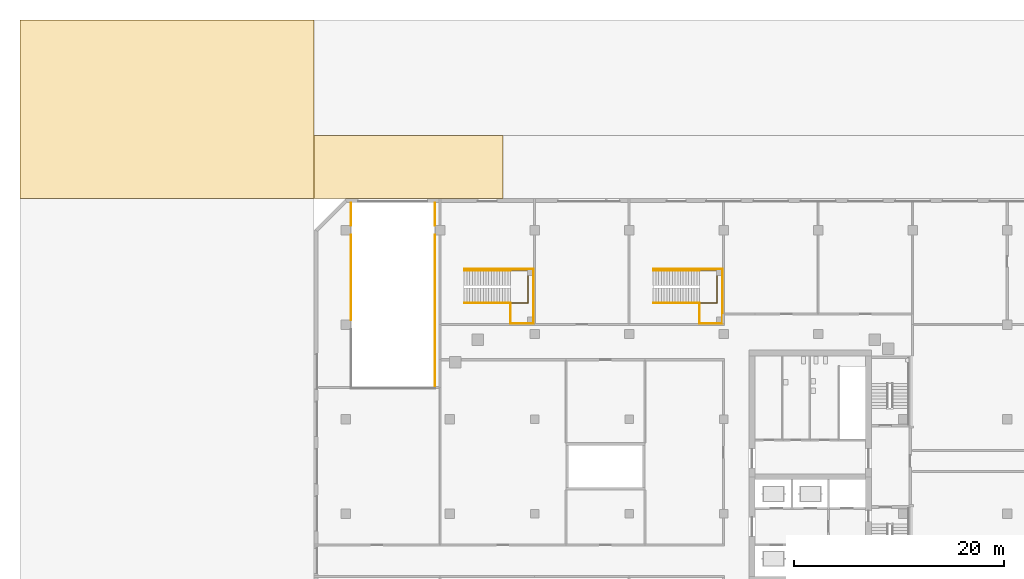
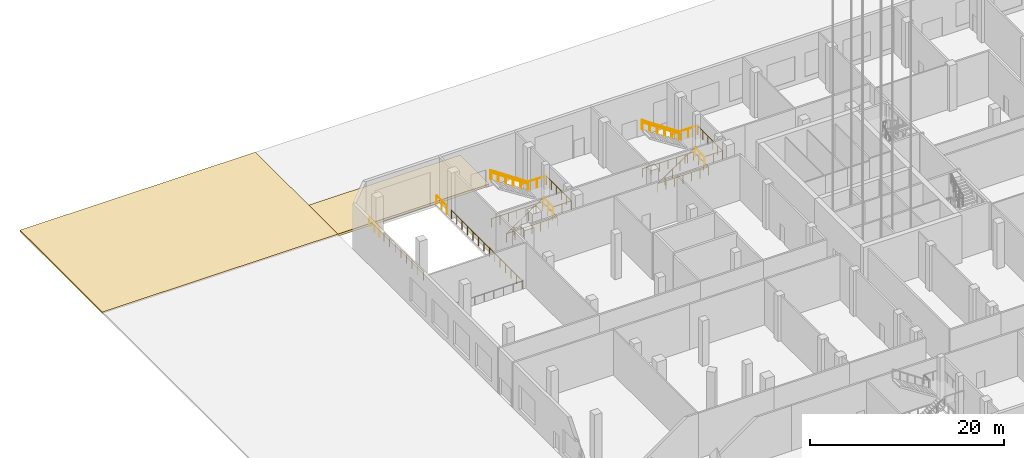
# One storey, part 50 of 55: 16 railings, 2 coverings.
"""IFC4 building model written with IfcOpenShell, lengths in metres."""

from ifc_helpers import new_model, si_unit, direction, frame, origin, origin_2d, place, context, subcontext, project, spatial, polyline, circle, outline, extrude, material, layer, layer_set, type_object, element, save


model = new_model("IFC4")

# Units and contexts
model_context = context("Model", 3, precision=1e-05, world=origin(), true_north=direction((0.0, 1.0)))
body_context = subcontext(model_context, "Body", "Model", "MODEL_VIEW")
ifc_project = project(units=[si_unit("LENGTHUNIT", "METRE"), si_unit("AREAUNIT", "SQUARE_METRE"), si_unit("VOLUMEUNIT", "CUBIC_METRE"), si_unit("PLANEANGLEUNIT", "RADIAN"), si_unit("MASSUNIT", "GRAM", prefix="KILO")], contexts=[model_context])

# Site, building, storey
site_placement = place(None, origin())
site = spatial("IfcSite", under=ifc_project, at=site_placement, CompositionType="ELEMENT")
building_placement = place(site_placement, origin())
building = spatial("IfcBuilding", under=site, at=building_placement, Name="Cinnabar Reach Civic Tower", CompositionType="ELEMENT")
storey_placement = place(building_placement, origin())
storey = spatial("IfcBuildingStorey", under=building, at=storey_placement, Name="L00", CompositionType="ELEMENT", Elevation=0.0)

# Covering
ifc_material_1 = material(Name="Granite paving on sand and cement bedding", Category="masonry")
ifc_layer_1 = layer(ifc_material_1, 0.2)
ifc_layer_set_1 = layer_set([ifc_layer_1], Name="Podium granite paving 200")
covering_type_1 = type_object("IfcCoveringType", Name="Podium granite paving 200", PredefinedType="USERDEFINED", material=ifc_layer_set_1)
covering_1_placement = place(storey_placement, frame((0.0, 0.0, -0.2)))
element("IfcCovering", 1, at=covering_1_placement, inside=storey, type_object=covering_type_1, Name="North-west plaza paving", ObjectType="PAVING", PredefinedType="USERDEFINED", context=body_context, shape_type="SweptSolid", body=[
    extrude(outline(polyline([(-84.0, 57.0), (-84.0, 74.0), (-112.0, 74.0), (-112.0, 57.0), (-84.0, 57.0)])), origin(), (0.0, 0.0, 1.0), 0.2),
])

# Railings
ifc_material_2 = material(Name="Stainless steel and glass", Category="steel")
railing_type_1 = type_object("IfcRailingType", Name="Podium guard 1100", PredefinedType="GUARDRAIL", material=ifc_material_2)
railing_1_placement = place(storey_placement, frame((-69.7, 47.05, 0.0)))
element("IfcRailing", 2, at=railing_1_placement, inside=storey, type_object=railing_type_1, Name="Stair guard PS2 L00", PredefinedType="GUARDRAIL", context=body_context, shape_type="SweptSolid", body=[
    extrude(circle(Radius=0.024, at=origin_2d()), frame((0.0, 0.0, 1.076), z_axis=(0.827413642594, 0.0, 0.561592970086), x_axis=(0.0, 1.0, 0.0)), (0.0, 0.0, 1.0), 5.3419),
    extrude(circle(Radius=0.021, at=origin_2d()), origin(), (0.0, 0.0, 1.0), 1.052),
    extrude(circle(Radius=0.021, at=origin_2d()), frame((0.884, 0.0, 0.6)), (0.0, 0.0, 1.0), 1.052),
    extrude(circle(Radius=0.021, at=origin_2d()), frame((1.768, 0.0, 1.2)), (0.0, 0.0, 1.0), 1.052),
    extrude(circle(Radius=0.021, at=origin_2d()), frame((2.652, 0.0, 1.8)), (0.0, 0.0, 1.0), 1.052),
    extrude(circle(Radius=0.021, at=origin_2d()), frame((3.536, 0.0, 2.4)), (0.0, 0.0, 1.0), 1.052),
    extrude(circle(Radius=0.021, at=origin_2d()), frame((4.42, 0.0, 3.0)), (0.0, 0.0, 1.0), 1.052),
])
railing_2_placement = place(storey_placement, frame((-65.28, 45.1, 3.0)))
element("IfcRailing", 3, at=railing_2_placement, inside=storey, type_object=railing_type_1, Name="Landing guard PS2 L00", PredefinedType="GUARDRAIL", context=body_context, shape_type="SweptSolid", body=[
    extrude(circle(Radius=0.024, at=origin_2d()), frame((0.0, 0.0, 1.076), z_axis=(1.0, 0.0, 0.0), x_axis=(0.0, 1.0, 0.0)), (0.0, 0.0, 1.0), 2.18),
    extrude(circle(Radius=0.024, at=origin_2d()), frame((2.18, 0.0, 1.076), z_axis=(0.0, 1.0, 0.0), x_axis=(-1.0, 0.0, 0.0)), (0.0, 0.0, 1.0), 5.1),
    extrude(circle(Radius=0.021, at=origin_2d()), origin(), (0.0, 0.0, 1.0), 1.052),
    extrude(circle(Radius=0.021, at=origin_2d()), frame((1.09, 0.0, 0.0)), (0.0, 0.0, 1.0), 1.052),
    extrude(circle(Radius=0.021, at=origin_2d()), frame((2.18, 0.0, 0.0)), (0.0, 0.0, 1.0), 1.052),
    extrude(circle(Radius=0.021, at=origin_2d()), frame((2.18, 1.02, 0.0)), (0.0, 0.0, 1.0), 1.052),
    extrude(circle(Radius=0.021, at=origin_2d()), frame((2.18, 2.04, 0.0)), (0.0, 0.0, 1.0), 1.052),
    extrude(circle(Radius=0.021, at=origin_2d()), frame((2.18, 3.06, 0.0)), (0.0, 0.0, 1.0), 1.052),
    extrude(circle(Radius=0.021, at=origin_2d()), frame((2.18, 4.08, 0.0)), (0.0, 0.0, 1.0), 1.052),
    extrude(circle(Radius=0.021, at=origin_2d()), frame((2.18, 5.1, 0.0)), (0.0, 0.0, 1.0), 1.052),
])
railing_3_placement = place(storey_placement, frame((-65.28, 45.1, 3.0)))
element("IfcRailing", 4, at=railing_3_placement, inside=storey, type_object=railing_type_1, Name="Landing guard PS2 L00 inner", PredefinedType="GUARDRAIL", context=body_context, shape_type="SweptSolid", body=[
    extrude(circle(Radius=0.024, at=origin_2d()), frame((0.0, 0.0, 1.076), z_axis=(0.0, 1.0, 0.0), x_axis=(-1.0, 0.0, 0.0)), (0.0, 0.0, 1.0), 1.9),
    extrude(circle(Radius=0.021, at=origin_2d()), origin(), (0.0, 0.0, 1.0), 1.052),
    extrude(circle(Radius=0.021, at=origin_2d()), frame((0.0, 0.95, 0.0)), (0.0, 0.0, 1.0), 1.052),
    extrude(circle(Radius=0.021, at=origin_2d()), frame((0.0, 1.9, 0.0)), (0.0, 0.0, 1.0), 1.052),
])
railing_4_placement = place(storey_placement, frame((-63.1, 50.3, 3.0)))
element("IfcRailing", 5, at=railing_4_placement, inside=storey, type_object=railing_type_1, Name="Stair wall side guard PS2 L00", PredefinedType="GUARDRAIL", context=body_context, shape_type="SweptSolid", body=[
    extrude(circle(Radius=0.024, at=origin_2d()), frame((0.0, 0.0, 1.076), z_axis=(-1.0, 0.0, 0.0), x_axis=(0.0, -1.0, 0.0)), (0.0, 0.0, 1.0), 2.18),
    extrude(circle(Radius=0.024, at=origin_2d()), frame((-2.18, 0.0, 1.076), z_axis=(-0.827413642594, 0.0, 0.561592970086), x_axis=(0.0, -1.0, 0.0)), (0.0, 0.0, 1.0), 5.3419),
    extrude(circle(Radius=0.021, at=origin_2d()), origin(), (0.0, 0.0, 1.0), 1.052),
    extrude(circle(Radius=0.021, at=origin_2d()), frame((-1.09, 0.0, 0.0)), (0.0, 0.0, 1.0), 1.052),
    extrude(circle(Radius=0.021, at=origin_2d()), frame((-2.18, 0.0, 0.0)), (0.0, 0.0, 1.0), 1.052),
    extrude(circle(Radius=0.021, at=origin_2d()), frame((-3.064, 0.0, 0.6)), (0.0, 0.0, 1.0), 1.052),
    extrude(circle(Radius=0.021, at=origin_2d()), frame((-3.948, 0.0, 1.2)), (0.0, 0.0, 1.0), 1.052),
    extrude(circle(Radius=0.021, at=origin_2d()), frame((-4.832, 0.0, 1.8)), (0.0, 0.0, 1.0), 1.052),
    extrude(circle(Radius=0.021, at=origin_2d()), frame((-5.716, 0.0, 2.4)), (0.0, 0.0, 1.0), 1.052),
    extrude(circle(Radius=0.021, at=origin_2d()), frame((-6.6, 0.0, 3.0)), (0.0, 0.0, 1.0), 1.052),
])
railing_5_placement = place(storey_placement, frame((-69.7, 47.05, 0.0)))
element("IfcRailing", 6, at=railing_5_placement, inside=storey, type_object=railing_type_1, Name="Stair well guard PS2 L00", PredefinedType="GUARDRAIL", context=body_context, shape_type="SweptSolid", body=[
    extrude(circle(Radius=0.024, at=origin_2d()), frame((0.0, 0.0, 1.076), z_axis=(1.0, 0.0, 0.0), x_axis=(0.0, 1.0, 0.0)), (0.0, 0.0, 1.0), 6.05),
    extrude(circle(Radius=0.024, at=origin_2d()), frame((6.05, 0.0, 1.076), z_axis=(0.0, 1.0, 0.0), x_axis=(-1.0, 0.0, 0.0)), (0.0, 0.0, 1.0), 3.1),
    extrude(circle(Radius=0.024, at=origin_2d()), frame((6.05, 3.1, 1.076), z_axis=(-1.0, 0.0, 0.0), x_axis=(0.0, -1.0, 0.0)), (0.0, 0.0, 1.0), 6.05),
    extrude(circle(Radius=0.021, at=origin_2d()), origin(), (0.0, 0.0, 1.0), 1.052),
    extrude(circle(Radius=0.021, at=origin_2d()), frame((1.0083, 0.0, 0.0)), (0.0, 0.0, 1.0), 1.052),
    extrude(circle(Radius=0.021, at=origin_2d()), frame((2.0167, 0.0, 0.0)), (0.0, 0.0, 1.0), 1.052),
    extrude(circle(Radius=0.021, at=origin_2d()), frame((3.025, 0.0, 0.0)), (0.0, 0.0, 1.0), 1.052),
    extrude(circle(Radius=0.021, at=origin_2d()), frame((4.0333, 0.0, 0.0)), (0.0, 0.0, 1.0), 1.052),
    extrude(circle(Radius=0.021, at=origin_2d()), frame((5.0417, 0.0, 0.0)), (0.0, 0.0, 1.0), 1.052),
    extrude(circle(Radius=0.021, at=origin_2d()), frame((6.05, 0.0, 0.0)), (0.0, 0.0, 1.0), 1.052),
    extrude(circle(Radius=0.021, at=origin_2d()), frame((6.05, 1.0333, 0.0)), (0.0, 0.0, 1.0), 1.052),
    extrude(circle(Radius=0.021, at=origin_2d()), frame((6.05, 2.0667, 0.0)), (0.0, 0.0, 1.0), 1.052),
    extrude(circle(Radius=0.021, at=origin_2d()), frame((6.05, 3.1, 0.0)), (0.0, 0.0, 1.0), 1.052),
    extrude(circle(Radius=0.021, at=origin_2d()), frame((5.0417, 3.1, 0.0)), (0.0, 0.0, 1.0), 1.052),
    extrude(circle(Radius=0.021, at=origin_2d()), frame((4.0333, 3.1, 0.0)), (0.0, 0.0, 1.0), 1.052),
    extrude(circle(Radius=0.021, at=origin_2d()), frame((3.025, 3.1, 0.0)), (0.0, 0.0, 1.0), 1.052),
    extrude(circle(Radius=0.021, at=origin_2d()), frame((2.0167, 3.1, 0.0)), (0.0, 0.0, 1.0), 1.052),
    extrude(circle(Radius=0.021, at=origin_2d()), frame((1.0083, 3.1, 0.0)), (0.0, 0.0, 1.0), 1.052),
    extrude(circle(Radius=0.021, at=origin_2d()), frame((0.0, 3.1, 0.0)), (0.0, 0.0, 1.0), 1.052),
])
railing_6_placement = place(storey_placement, frame((-51.7, 47.05, 0.0)))
element("IfcRailing", 7, at=railing_6_placement, inside=storey, type_object=railing_type_1, Name="Stair guard PS7 L00", PredefinedType="GUARDRAIL", context=body_context, shape_type="SweptSolid", body=[
    extrude(circle(Radius=0.024, at=origin_2d()), frame((0.0, 0.0, 1.076), z_axis=(0.827413642594, 0.0, 0.561592970086), x_axis=(0.0, 1.0, 0.0)), (0.0, 0.0, 1.0), 5.3419),
    extrude(circle(Radius=0.021, at=origin_2d()), origin(), (0.0, 0.0, 1.0), 1.052),
    extrude(circle(Radius=0.021, at=origin_2d()), frame((0.884, 0.0, 0.6)), (0.0, 0.0, 1.0), 1.052),
    extrude(circle(Radius=0.021, at=origin_2d()), frame((1.768, 0.0, 1.2)), (0.0, 0.0, 1.0), 1.052),
    extrude(circle(Radius=0.021, at=origin_2d()), frame((2.652, 0.0, 1.8)), (0.0, 0.0, 1.0), 1.052),
    extrude(circle(Radius=0.021, at=origin_2d()), frame((3.536, 0.0, 2.4)), (0.0, 0.0, 1.0), 1.052),
    extrude(circle(Radius=0.021, at=origin_2d()), frame((4.42, 0.0, 3.0)), (0.0, 0.0, 1.0), 1.052),
])
railing_7_placement = place(storey_placement, frame((-47.28, 45.1, 3.0)))
element("IfcRailing", 8, at=railing_7_placement, inside=storey, type_object=railing_type_1, Name="Landing guard PS7 L00", PredefinedType="GUARDRAIL", context=body_context, shape_type="SweptSolid", body=[
    extrude(circle(Radius=0.024, at=origin_2d()), frame((0.0, 0.0, 1.076), z_axis=(1.0, 0.0, 0.0), x_axis=(0.0, 1.0, 0.0)), (0.0, 0.0, 1.0), 2.18),
    extrude(circle(Radius=0.024, at=origin_2d()), frame((2.18, 0.0, 1.076), z_axis=(0.0, 1.0, 0.0), x_axis=(-1.0, 0.0, 0.0)), (0.0, 0.0, 1.0), 5.1),
    extrude(circle(Radius=0.021, at=origin_2d()), origin(), (0.0, 0.0, 1.0), 1.052),
    extrude(circle(Radius=0.021, at=origin_2d()), frame((1.09, 0.0, 0.0)), (0.0, 0.0, 1.0), 1.052),
    extrude(circle(Radius=0.021, at=origin_2d()), frame((2.18, 0.0, 0.0)), (0.0, 0.0, 1.0), 1.052),
    extrude(circle(Radius=0.021, at=origin_2d()), frame((2.18, 1.02, 0.0)), (0.0, 0.0, 1.0), 1.052),
    extrude(circle(Radius=0.021, at=origin_2d()), frame((2.18, 2.04, 0.0)), (0.0, 0.0, 1.0), 1.052),
    extrude(circle(Radius=0.021, at=origin_2d()), frame((2.18, 3.06, 0.0)), (0.0, 0.0, 1.0), 1.052),
    extrude(circle(Radius=0.021, at=origin_2d()), frame((2.18, 4.08, 0.0)), (0.0, 0.0, 1.0), 1.052),
    extrude(circle(Radius=0.021, at=origin_2d()), frame((2.18, 5.1, 0.0)), (0.0, 0.0, 1.0), 1.052),
])
railing_8_placement = place(storey_placement, frame((-47.28, 45.1, 3.0)))
element("IfcRailing", 9, at=railing_8_placement, inside=storey, type_object=railing_type_1, Name="Landing guard PS7 L00 inner", PredefinedType="GUARDRAIL", context=body_context, shape_type="SweptSolid", body=[
    extrude(circle(Radius=0.024, at=origin_2d()), frame((0.0, 0.0, 1.076), z_axis=(0.0, 1.0, 0.0), x_axis=(-1.0, 0.0, 0.0)), (0.0, 0.0, 1.0), 1.9),
    extrude(circle(Radius=0.021, at=origin_2d()), origin(), (0.0, 0.0, 1.0), 1.052),
    extrude(circle(Radius=0.021, at=origin_2d()), frame((0.0, 0.95, 0.0)), (0.0, 0.0, 1.0), 1.052),
    extrude(circle(Radius=0.021, at=origin_2d()), frame((0.0, 1.9, 0.0)), (0.0, 0.0, 1.0), 1.052),
])
railing_9_placement = place(storey_placement, frame((-45.1, 50.3, 3.0)))
element("IfcRailing", 10, at=railing_9_placement, inside=storey, type_object=railing_type_1, Name="Stair wall side guard PS7 L00", PredefinedType="GUARDRAIL", context=body_context, shape_type="SweptSolid", body=[
    extrude(circle(Radius=0.024, at=origin_2d()), frame((0.0, 0.0, 1.076), z_axis=(-1.0, 0.0, 0.0), x_axis=(0.0, -1.0, 0.0)), (0.0, 0.0, 1.0), 2.18),
    extrude(circle(Radius=0.024, at=origin_2d()), frame((-2.18, 0.0, 1.076), z_axis=(-0.827413642594, 0.0, 0.561592970086), x_axis=(0.0, -1.0, 0.0)), (0.0, 0.0, 1.0), 5.3419),
    extrude(circle(Radius=0.021, at=origin_2d()), origin(), (0.0, 0.0, 1.0), 1.052),
    extrude(circle(Radius=0.021, at=origin_2d()), frame((-1.09, 0.0, 0.0)), (0.0, 0.0, 1.0), 1.052),
    extrude(circle(Radius=0.021, at=origin_2d()), frame((-2.18, 0.0, 0.0)), (0.0, 0.0, 1.0), 1.052),
    extrude(circle(Radius=0.021, at=origin_2d()), frame((-3.064, 0.0, 0.6)), (0.0, 0.0, 1.0), 1.052),
    extrude(circle(Radius=0.021, at=origin_2d()), frame((-3.948, 0.0, 1.2)), (0.0, 0.0, 1.0), 1.052),
    extrude(circle(Radius=0.021, at=origin_2d()), frame((-4.832, 0.0, 1.8)), (0.0, 0.0, 1.0), 1.052),
    extrude(circle(Radius=0.021, at=origin_2d()), frame((-5.716, 0.0, 2.4)), (0.0, 0.0, 1.0), 1.052),
    extrude(circle(Radius=0.021, at=origin_2d()), frame((-6.6, 0.0, 3.0)), (0.0, 0.0, 1.0), 1.052),
])
railing_10_placement = place(storey_placement, frame((-51.7, 47.05, 0.0)))
element("IfcRailing", 11, at=railing_10_placement, inside=storey, type_object=railing_type_1, Name="Stair well guard PS7 L00", PredefinedType="GUARDRAIL", context=body_context, shape_type="SweptSolid", body=[
    extrude(circle(Radius=0.024, at=origin_2d()), frame((0.0, 0.0, 1.076), z_axis=(1.0, 0.0, 0.0), x_axis=(0.0, 1.0, 0.0)), (0.0, 0.0, 1.0), 6.05),
    extrude(circle(Radius=0.024, at=origin_2d()), frame((6.05, 0.0, 1.076), z_axis=(0.0, 1.0, 0.0), x_axis=(-1.0, 0.0, 0.0)), (0.0, 0.0, 1.0), 3.1),
    extrude(circle(Radius=0.024, at=origin_2d()), frame((6.05, 3.1, 1.076), z_axis=(-1.0, 0.0, 0.0), x_axis=(0.0, -1.0, 0.0)), (0.0, 0.0, 1.0), 6.05),
    extrude(circle(Radius=0.021, at=origin_2d()), origin(), (0.0, 0.0, 1.0), 1.052),
    extrude(circle(Radius=0.021, at=origin_2d()), frame((1.0083, 0.0, 0.0)), (0.0, 0.0, 1.0), 1.052),
    extrude(circle(Radius=0.021, at=origin_2d()), frame((2.0167, 0.0, 0.0)), (0.0, 0.0, 1.0), 1.052),
    extrude(circle(Radius=0.021, at=origin_2d()), frame((3.025, 0.0, 0.0)), (0.0, 0.0, 1.0), 1.052),
    extrude(circle(Radius=0.021, at=origin_2d()), frame((4.0333, 0.0, 0.0)), (0.0, 0.0, 1.0), 1.052),
    extrude(circle(Radius=0.021, at=origin_2d()), frame((5.0417, 0.0, 0.0)), (0.0, 0.0, 1.0), 1.052),
    extrude(circle(Radius=0.021, at=origin_2d()), frame((6.05, 0.0, 0.0)), (0.0, 0.0, 1.0), 1.052),
    extrude(circle(Radius=0.021, at=origin_2d()), frame((6.05, 1.0333, 0.0)), (0.0, 0.0, 1.0), 1.052),
    extrude(circle(Radius=0.021, at=origin_2d()), frame((6.05, 2.0667, 0.0)), (0.0, 0.0, 1.0), 1.052),
    extrude(circle(Radius=0.021, at=origin_2d()), frame((6.05, 3.1, 0.0)), (0.0, 0.0, 1.0), 1.052),
    extrude(circle(Radius=0.021, at=origin_2d()), frame((5.0417, 3.1, 0.0)), (0.0, 0.0, 1.0), 1.052),
    extrude(circle(Radius=0.021, at=origin_2d()), frame((4.0333, 3.1, 0.0)), (0.0, 0.0, 1.0), 1.052),
    extrude(circle(Radius=0.021, at=origin_2d()), frame((3.025, 3.1, 0.0)), (0.0, 0.0, 1.0), 1.052),
    extrude(circle(Radius=0.021, at=origin_2d()), frame((2.0167, 3.1, 0.0)), (0.0, 0.0, 1.0), 1.052),
    extrude(circle(Radius=0.021, at=origin_2d()), frame((1.0083, 3.1, 0.0)), (0.0, 0.0, 1.0), 1.052),
    extrude(circle(Radius=0.021, at=origin_2d()), frame((0.0, 3.1, 0.0)), (0.0, 0.0, 1.0), 1.052),
])
railing_11_placement = place(storey_placement, frame((-80.5, 45.45, 0.0)))
element("IfcRailing", 12, at=railing_11_placement, inside=storey, type_object=railing_type_1, Name="Opening guard L00 rh0-w", PredefinedType="GUARDRAIL", context=body_context, shape_type="SweptSolid", body=[
    extrude(circle(Radius=0.024, at=origin_2d()), frame((0.0, 0.0, 1.076), z_axis=(0.0, 1.0, 0.0), x_axis=(-1.0, 0.0, 0.0)), (0.0, 0.0, 1.0), 8.1),
    extrude(circle(Radius=0.021, at=origin_2d()), origin(), (0.0, 0.0, 1.0), 1.052),
    extrude(circle(Radius=0.021, at=origin_2d()), frame((0.0, 1.1571, 0.0)), (0.0, 0.0, 1.0), 1.052),
    extrude(circle(Radius=0.021, at=origin_2d()), frame((0.0, 2.3143, 0.0)), (0.0, 0.0, 1.0), 1.052),
    extrude(circle(Radius=0.021, at=origin_2d()), frame((0.0, 3.4714, 0.0)), (0.0, 0.0, 1.0), 1.052),
    extrude(circle(Radius=0.021, at=origin_2d()), frame((0.0, 4.6286, 0.0)), (0.0, 0.0, 1.0), 1.052),
    extrude(circle(Radius=0.021, at=origin_2d()), frame((0.0, 5.7857, 0.0)), (0.0, 0.0, 1.0), 1.052),
    extrude(circle(Radius=0.021, at=origin_2d()), frame((0.0, 6.9429, 0.0)), (0.0, 0.0, 1.0), 1.052),
    extrude(circle(Radius=0.021, at=origin_2d()), frame((0.0, 8.1, 0.0)), (0.0, 0.0, 1.0), 1.052),
])
railing_12_placement = place(storey_placement, frame((-80.5, 54.45, 0.0)))
element("IfcRailing", 13, at=railing_12_placement, inside=storey, type_object=railing_type_1, Name="Opening guard L00 rh0-w", PredefinedType="GUARDRAIL", context=body_context, shape_type="SweptSolid", body=[
    extrude(circle(Radius=0.024, at=origin_2d()), frame((0.0, 0.0, 1.076), z_axis=(0.0, 1.0, 0.0), x_axis=(-1.0, 0.0, 0.0)), (0.0, 0.0, 1.0), 2.15),
    extrude(circle(Radius=0.021, at=origin_2d()), origin(), (0.0, 0.0, 1.0), 1.052),
    extrude(circle(Radius=0.021, at=origin_2d()), frame((0.0, 1.075, 0.0)), (0.0, 0.0, 1.0), 1.052),
    extrude(circle(Radius=0.021, at=origin_2d()), frame((0.0, 2.15, 0.0)), (0.0, 0.0, 1.0), 1.052),
])
railing_13_placement = place(storey_placement, frame((-72.5, 39.0, 0.0)))
element("IfcRailing", 14, at=railing_13_placement, inside=storey, type_object=railing_type_1, Name="Opening guard L00 rh0-e", PredefinedType="GUARDRAIL", context=body_context, shape_type="SweptSolid", body=[
    extrude(circle(Radius=0.024, at=origin_2d()), frame((0.0, 0.0, 1.076), z_axis=(0.0, 1.0, 0.0), x_axis=(-1.0, 0.0, 0.0)), (0.0, 0.0, 1.0), 14.55),
    extrude(circle(Radius=0.021, at=origin_2d()), origin(), (0.0, 0.0, 1.0), 1.052),
    extrude(circle(Radius=0.021, at=origin_2d()), frame((0.0, 1.1192, 0.0)), (0.0, 0.0, 1.0), 1.052),
    extrude(circle(Radius=0.021, at=origin_2d()), frame((0.0, 2.2385, 0.0)), (0.0, 0.0, 1.0), 1.052),
    extrude(circle(Radius=0.021, at=origin_2d()), frame((0.0, 3.3577, 0.0)), (0.0, 0.0, 1.0), 1.052),
    extrude(circle(Radius=0.021, at=origin_2d()), frame((0.0, 4.4769, 0.0)), (0.0, 0.0, 1.0), 1.052),
    extrude(circle(Radius=0.021, at=origin_2d()), frame((0.0, 5.5962, 0.0)), (0.0, 0.0, 1.0), 1.052),
    extrude(circle(Radius=0.021, at=origin_2d()), frame((0.0, 6.7154, 0.0)), (0.0, 0.0, 1.0), 1.052),
    extrude(circle(Radius=0.021, at=origin_2d()), frame((0.0, 7.8346, 0.0)), (0.0, 0.0, 1.0), 1.052),
    extrude(circle(Radius=0.021, at=origin_2d()), frame((0.0, 8.9538, 0.0)), (0.0, 0.0, 1.0), 1.052),
    extrude(circle(Radius=0.021, at=origin_2d()), frame((0.0, 10.0731, 0.0)), (0.0, 0.0, 1.0), 1.052),
    extrude(circle(Radius=0.021, at=origin_2d()), frame((0.0, 11.1923, 0.0)), (0.0, 0.0, 1.0), 1.052),
    extrude(circle(Radius=0.021, at=origin_2d()), frame((0.0, 12.3115, 0.0)), (0.0, 0.0, 1.0), 1.052),
    extrude(circle(Radius=0.021, at=origin_2d()), frame((0.0, 13.4308, 0.0)), (0.0, 0.0, 1.0), 1.052),
    extrude(circle(Radius=0.021, at=origin_2d()), frame((0.0, 14.55, 0.0)), (0.0, 0.0, 1.0), 1.052),
])
railing_14_placement = place(storey_placement, frame((-72.5, 54.45, 0.0)))
element("IfcRailing", 15, at=railing_14_placement, inside=storey, type_object=railing_type_1, Name="Opening guard L00 rh0-e", PredefinedType="GUARDRAIL", context=body_context, shape_type="SweptSolid", body=[
    extrude(circle(Radius=0.024, at=origin_2d()), frame((0.0, 0.0, 1.076), z_axis=(0.0, 1.0, 0.0), x_axis=(-1.0, 0.0, 0.0)), (0.0, 0.0, 1.0), 2.15),
    extrude(circle(Radius=0.021, at=origin_2d()), origin(), (0.0, 0.0, 1.0), 1.052),
    extrude(circle(Radius=0.021, at=origin_2d()), frame((0.0, 1.075, 0.0)), (0.0, 0.0, 1.0), 1.052),
    extrude(circle(Radius=0.021, at=origin_2d()), frame((0.0, 2.15, 0.0)), (0.0, 0.0, 1.0), 1.052),
])

# Covering
ifc_material_3 = material(Name="Reinforced concrete C35/45 paving", Category="concrete")
ifc_layer_2 = layer(ifc_material_3, 0.3)
ifc_layer_set_2 = layer_set([ifc_layer_2], Name="Podium heavy duty concrete paving 300")
covering_type_2 = type_object("IfcCoveringType", Name="Podium heavy duty concrete paving 300", PredefinedType="USERDEFINED", material=ifc_layer_set_2)
covering_2_placement = place(storey_placement, frame((0.0, 0.0, -0.3)))
element("IfcCovering", 16, at=covering_2_placement, inside=storey, type_object=covering_type_2, Name="Car park ramp apron", ObjectType="PAVING", PredefinedType="USERDEFINED", context=body_context, shape_type="SweptSolid", body=[
    extrude(outline(polyline([(-66.0, 57.0), (-66.0, 63.0), (-84.0, 63.0), (-84.0, 57.0), (-66.0, 57.0)])), origin(), (0.0, 0.0, 1.0), 0.3),
])

# Railings
ifc_material_4 = material(Name="Stainless steel", Category="steel")
railing_type_2 = type_object("IfcRailingType", Name="Podium stair handrail 900", PredefinedType="HANDRAIL", material=ifc_material_4)
for number, where, name in (
    (17, (-65.28, 50.15, 3.0), "Stair handrail PS2 L00"),
    (18, (-47.28, 50.15, 3.0), "Stair handrail PS7 L00"),
):
    element("IfcRailing", number, at=place(storey_placement, frame(where)), inside=storey, type_object=railing_type_2, Name=name, PredefinedType="HANDRAIL", context=body_context, shape_type="SweptSolid", body=[
        extrude(circle(Radius=0.024, at=origin_2d()), frame((0.0, 0.0, 0.876), z_axis=(-0.827413642594, 0.0, 0.561592970086), x_axis=(0.0, -1.0, 0.0)), (0.0, 0.0, 1.0), 5.3419),
        extrude(circle(Radius=0.021, at=origin_2d()), origin(), (0.0, 0.0, 1.0), 0.852),
        extrude(circle(Radius=0.021, at=origin_2d()), frame((-0.884, 0.0, 0.6)), (0.0, 0.0, 1.0), 0.852),
        extrude(circle(Radius=0.021, at=origin_2d()), frame((-1.768, 0.0, 1.2)), (0.0, 0.0, 1.0), 0.852),
        extrude(circle(Radius=0.021, at=origin_2d()), frame((-2.652, 0.0, 1.8)), (0.0, 0.0, 1.0), 0.852),
        extrude(circle(Radius=0.021, at=origin_2d()), frame((-3.536, 0.0, 2.4)), (0.0, 0.0, 1.0), 0.852),
        extrude(circle(Radius=0.021, at=origin_2d()), frame((-4.42, 0.0, 3.0)), (0.0, 0.0, 1.0), 0.852),
    ])

save(model, "model.ifc")
